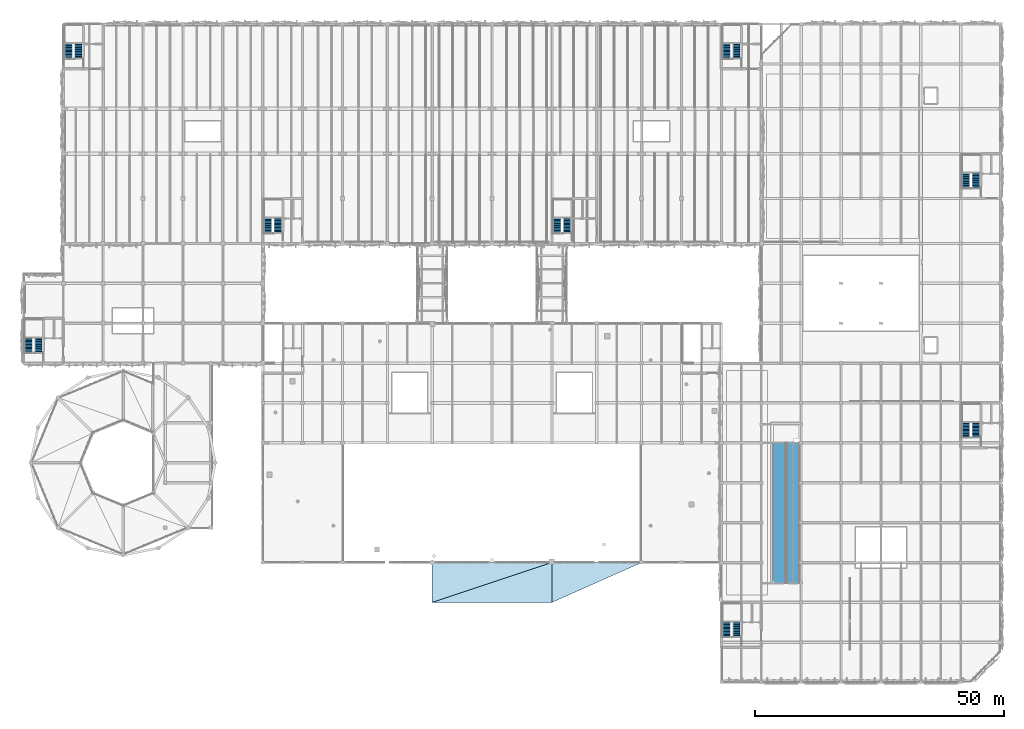
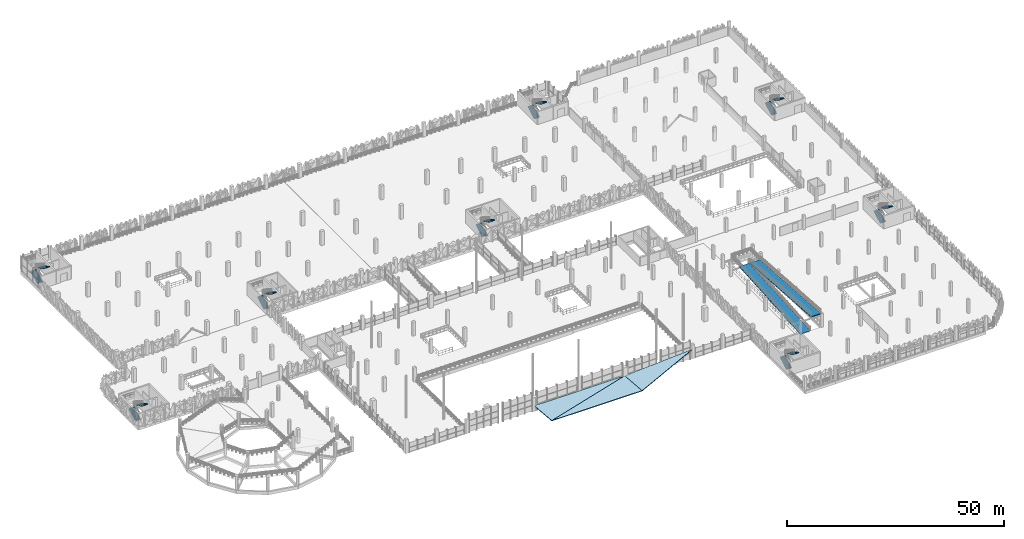
# One storey, part 82 of 123: 16 stair flights, 3 roofs, 2 ramp flights, 9 elements without a shape of their own.
"""IFC4 building model written with IfcOpenShell, lengths in metres."""

import ifcopenshell
import ifcopenshell.guid

model = None  # the IFC model being written
_history = None  # IfcOwnerHistory: only IFC2X3 demands one
_inside = {}  # id of a spatial element -> (the spatial element, [elements in it])
_under = {}  # id of a project, library or spatial element -> (it, [spatial elements below it])
_declared = {}  # id of a project -> (the project, [libraries it declares])
_typed = {}  # id of a type object -> (the type object, [elements of that type])
_made_of = {}  # id of a material, layer set ... -> (it, [elements and type objects made of it])


def new_model(schema):
    """Start an empty IFC model of exactly this schema.

    Asked for "IFC4X3", IfcOpenShell would pick the latest addendum, in which some entities
    have other attributes; the version numbers below select the first issue.
    IFC2X3 requires an IfcOwnerHistory on every rooted entity: one is made here for all.
    """
    global model, _history
    if schema == "IFC4X3":
        model = ifcopenshell.file(schema_version=(4, 3, 0, 0))
    else:
        model = ifcopenshell.file(schema=schema)
    _inside.clear()
    _under.clear()
    _declared.clear()
    _typed.clear()
    _made_of.clear()
    _history = None
    if model.schema == "IFC2X3":
        org = make("IfcOrganization", Name="unknown")
        user = make(
            "IfcPersonAndOrganization",
            ThePerson=make("IfcPerson", FamilyName="unknown"),
            TheOrganization=org,
        )
        app = make(
            "IfcApplication",
            ApplicationDeveloper=org,
            Version="unknown",
            ApplicationFullName="unknown",
            ApplicationIdentifier="unknown",
        )
        _history = make(
            "IfcOwnerHistory",
            OwningUser=user,
            OwningApplication=app,
            ChangeAction="ADDED",
            CreationDate=0,
        )
    return model


def make(cls, **values):
    """One entity of the class cls with the attributes given. An attribute that is None is left unset."""
    return model.create_entity(
        cls, **{name: value for name, value in values.items() if value is not None}
    )


def rooted(cls, **values):
    """An entity with a GlobalId (a new one), such as an element, a storey or a relation."""
    return make(cls, GlobalId=ifcopenshell.guid.new(), OwnerHistory=_history, **values)


def si_unit(unit_type, name, prefix=None):
    """IfcSIUnit, for example si_unit("LENGTHUNIT", "METRE", prefix="MILLI")."""
    return make("IfcSIUnit", UnitType=unit_type, Prefix=prefix, Name=name)


def derived_unit(unit_type, elements):
    """IfcDerivedUnit: a product of units, each with its exponent."""
    return make(
        "IfcDerivedUnit",
        Elements=[
            make("IfcDerivedUnitElement", Unit=unit, Exponent=power)
            for unit, power in elements
        ],
        UnitType=unit_type,
    )


def assignment(units):
    """IfcUnitAssignment: the units of a project."""
    return None if units is None else make("IfcUnitAssignment", Units=units)


def point(xyz):
    """IfcCartesianPoint."""
    return None if xyz is None else make("IfcCartesianPoint", Coordinates=xyz)


def direction(xyz):
    """IfcDirection."""
    return None if xyz is None else make("IfcDirection", DirectionRatios=xyz)


def frame(location, z_axis=None, x_axis=None):
    """IfcAxis2Placement3D, a coordinate frame: its origin and axes. An axis left out is left unset."""
    return make(
        "IfcAxis2Placement3D",
        Location=point(location),
        Axis=direction(z_axis),
        RefDirection=direction(x_axis),
    )


def origin():
    """The frame at (0, 0, 0) with its axes left unset."""
    return frame((0.0, 0.0, 0.0))


def place(relative_to, where):
    """IfcLocalPlacement: puts the frame where relative to a parent placement (None: the world)."""
    return make(
        "IfcLocalPlacement", PlacementRelTo=relative_to, RelativePlacement=where
    )


def context(
    kind, dimensions, precision=None, world=None, true_north=None, identifier=None
):
    """IfcGeometricRepresentationContext, for example the 3D "Model" context."""
    return make(
        "IfcGeometricRepresentationContext",
        ContextIdentifier=identifier,
        ContextType=kind,
        CoordinateSpaceDimension=dimensions,
        Precision=precision,
        WorldCoordinateSystem=world,
        TrueNorth=true_north,
    )


def subcontext(parent, identifier, kind, view, scale=None):
    """IfcGeometricRepresentationSubContext, for example "Body" below "Model"."""
    return make(
        "IfcGeometricRepresentationSubContext",
        ContextIdentifier=identifier,
        ContextType=kind,
        ParentContext=parent,
        TargetScale=scale,
        TargetView=view,
    )


def project(units=None, contexts=None):
    """IfcProject with its units and contexts."""
    return rooted(
        "IfcProject",
        Name="project",
        RepresentationContexts=contexts,
        UnitsInContext=assignment(units),
    )


def spatial(cls, under=None, at=None, **own):
    """A site, building, storey or space (cls), placed at a placement, below another one or the project."""
    s = rooted(cls, ObjectPlacement=at, **own)
    if under is not None:
        _under.setdefault(under.id(), (under, []))[1].append(s)
    return s


def polyline(points):
    """IfcPolyline through the points."""
    return make("IfcPolyline", Points=[point(p) for p in points])


def point_list(points):
    """IfcCartesianPointList2D or 3D."""
    cls = (
        "IfcCartesianPointList2D" if len(points[0]) == 2 else "IfcCartesianPointList3D"
    )
    return make(cls, CoordList=points)


def outline(outer, holes=None, kind="AREA"):
    """IfcArbitraryClosedProfileDef: a profile drawn as a closed curve; with holes, ...WithVoids."""
    if holes is None:
        return make("IfcArbitraryClosedProfileDef", ProfileType=kind, OuterCurve=outer)
    return make(
        "IfcArbitraryProfileDefWithVoids",
        ProfileType=kind,
        OuterCurve=outer,
        InnerCurves=holes,
    )


def extrude(swept, where, along, depth):
    """IfcExtrudedAreaSolid: the profile swept, set in the frame where, extruded along a direction by depth."""
    return make(
        "IfcExtrudedAreaSolid",
        SweptArea=swept,
        Position=where,
        ExtrudedDirection=direction(along),
        Depth=depth,
    )


def polygons(points, faces, closed=None, point_numbers=None):
    """IfcPolygonalFaceSet: a face is its outer loop, then its inner loops; points numbered from 1."""
    made = []
    for loops in faces:
        if len(loops) == 1:
            made.append(make("IfcIndexedPolygonalFace", CoordIndex=loops[0]))
        else:
            made.append(
                make(
                    "IfcIndexedPolygonalFaceWithVoids",
                    CoordIndex=loops[0],
                    InnerCoordIndices=loops[1:],
                )
            )
    return make(
        "IfcPolygonalFaceSet",
        Coordinates=point_list(points),
        Closed=closed,
        Faces=made,
        PnIndex=point_numbers,
    )


def shape(context_of_items, identifier, shape_type, items):
    """IfcShapeRepresentation: the items that make up one representation, for example the "Body"."""
    return make(
        "IfcShapeRepresentation",
        ContextOfItems=context_of_items,
        RepresentationIdentifier=identifier,
        RepresentationType=shape_type,
        Items=items,
    )


def material(Name=None, Category=None):
    """IfcMaterial."""
    return make("IfcMaterial", Name=Name, Category=Category)


def layer(
    of_material, thickness, ventilated=None, Name=None, Category=None, Priority=None
):
    """IfcMaterialLayer: one layer of a wall or slab, of a material (None: an air gap)."""
    return make(
        "IfcMaterialLayer",
        Material=of_material,
        LayerThickness=thickness,
        IsVentilated=ventilated,
        Name=Name,
        Category=Category,
        Priority=Priority,
    )


def layer_set(layers, Name=None):
    """IfcMaterialLayerSet."""
    return make("IfcMaterialLayerSet", MaterialLayers=layers, LayerSetName=Name)


def made_of(thing, what):
    """Note that an element or type object is made of a material, layer set ...; save() writes the relation."""
    if what is not None:
        _made_of.setdefault(what.id(), (what, []))[1].append(thing)
    return thing


def type_object(cls, material=None, **own):
    """A type object (cls), such as IfcWallType, which elements share."""
    return made_of(rooted(cls, **own), material)


def element(
    cls,
    number,
    at=None,
    inside=None,
    cuts=None,
    type_object=None,
    material=None,
    context=None,
    identifier="Body",
    shape_type=None,
    held_by="IfcProductDefinitionShape",
    body=None,
    shapes=None,
    **own,
):
    """One element of the class cls, such as IfcWall. Its Tag is "e" and its number.

    at: its placement. inside: the storey or other place that contains it. cuts: it is an
    opening in that element (IfcRelVoidsElement). A single representation is given by context,
    identifier, shape_type and body (its items); several are given by shapes. held_by: the class
    of the entity that holds the representations. save() writes the other relations.
    """
    e = rooted(cls, Tag="e%d" % number, ObjectPlacement=at, **own)
    if body is not None:
        shapes = [shape(context, identifier, shape_type, body)]
    if shapes is not None:
        e.Representation = make(held_by, Representations=shapes)
    if inside is not None:
        _inside.setdefault(inside.id(), (inside, []))[1].append(e)
    if cuts is not None:
        rooted(
            "IfcRelVoidsElement", RelatingBuildingElement=cuts, RelatedOpeningElement=e
        )
    if type_object is not None:
        _typed.setdefault(type_object.id(), (type_object, []))[1].append(e)
    return made_of(e, material)


def aggregate(whole, parts):
    """IfcRelAggregates: a whole, such as a stair, and the parts it consists of."""
    return rooted("IfcRelAggregates", RelatingObject=whole, RelatedObjects=parts)


def save(model, path):
    """Write the relations noted so far, then the file.

    IfcRelAggregates (storeys below a building ...), IfcRelContainedInSpatialStructure (elements
    in a storey), IfcRelDefinesByType, IfcRelAssociatesMaterial and IfcRelDeclares: one each for
    every whole, place, type object, material and project.
    """
    for whole, parts in _under.values():
        aggregate(whole, parts)
    for where, things in _inside.values():
        rooted(
            "IfcRelContainedInSpatialStructure",
            RelatedElements=things,
            RelatingStructure=where,
        )
    for kind, things in _typed.values():
        rooted("IfcRelDefinesByType", RelatedObjects=things, RelatingType=kind)
    for what, things in _made_of.values():
        rooted("IfcRelAssociatesMaterial", RelatedObjects=things, RelatingMaterial=what)
    for by, libraries in _declared.values():
        rooted("IfcRelDeclares", RelatingContext=by, RelatedDefinitions=libraries)
    model.write(path)


model = new_model("IFC4")

# Units and contexts
model_context = context("Model", 3, precision=1e-05, world=origin(), true_north=direction((0.0, 1.0)))
body_context = subcontext(model_context, "Body", "Model", "MODEL_VIEW")
ifc_project = project(units=[si_unit("LENGTHUNIT", "METRE"), si_unit("AREAUNIT", "SQUARE_METRE"), si_unit("VOLUMEUNIT", "CUBIC_METRE"), si_unit("PLANEANGLEUNIT", "RADIAN"), si_unit("MASSUNIT", "GRAM", prefix="KILO"), si_unit("THERMODYNAMICTEMPERATUREUNIT", "KELVIN"), derived_unit("THERMALTRANSMITTANCEUNIT", [(si_unit("POWERUNIT", "WATT"), 1), (si_unit("AREAUNIT", "SQUARE_METRE"), -1), (si_unit("THERMODYNAMICTEMPERATUREUNIT", "KELVIN"), -1)])], contexts=[model_context])

# Site, building, storey
site_placement = place(None, origin())
site = spatial("IfcSite", under=ifc_project, at=site_placement, CompositionType="ELEMENT")
building_placement = place(site_placement, origin())
building = spatial("IfcBuilding", under=site, at=building_placement, Name="Haiyu Intermodal Mobility Hub", CompositionType="ELEMENT")
storey_placement = place(building_placement, frame((0.0, 0.0, 5.60009765625)))
storey = spatial("IfcBuildingStorey", under=building, at=storey_placement, Name="L01", CompositionType="ELEMENT", Elevation=5.60009765625)

# Stair, stair flights
ifc_material_1 = material(Name="Concrete C40", Category="concrete")
stair_type_1 = type_object("IfcStairType", Name="STR-ST02", PredefinedType="HALF_TURN_STAIR", material=ifc_material_1)
stair_1_placement = place(storey_placement, origin())
stair_1 = element("IfcStair", 1, at=stair_1_placement, inside=storey, type_object=stair_type_1, Name="Exit Stair ST01 L01", PredefinedType="HALF_TURN_STAIR")
stair_flight_type_1 = type_object("IfcStairFlightType", Name="SFL-ST02", PredefinedType="STRAIGHT", material=ifc_material_1)
stair_flight_1_placement = place(storey_placement, frame((63.090087890625, 106.050048828125, 0.0), z_axis=(0.0, 0.0, 1.0), x_axis=(0.0, 1.0, 0.0)))
stair_flight_1 = element("IfcStairFlight", 2, at=stair_flight_1_placement, type_object=stair_flight_type_1, Name="Stair Flight STR-C5-L01-F1", NumberOfRisers=12, NumberOfTreads=11, PredefinedType="STRAIGHT", RiserHeight=0.1625, TreadLength=0.28, context=body_context, shape_type="SweptSolid", body=[
    extrude(outline(polyline([(0.0, 0.0), (0.0, 0.16259765625), (0.280029296875, 0.16259765625), (0.280029296875, 0.324951171875), (0.56005859375, 0.324951171875), (0.56005859375, 0.487548828125), (0.840087890625, 0.487548828125), (0.840087890625, 0.64990234375), (1.1201171875, 0.64990234375), (1.1201171875, 0.8125), (1.39990234375, 0.8125), (1.39990234375, 0.97509765625), (1.679931640625, 0.97509765625), (1.679931640625, 1.137451171875), (1.9599609375, 1.137451171875), (1.9599609375, 1.300048828125), (2.239990234375, 1.300048828125), (2.239990234375, 1.46240234375), (2.52001953125, 1.46240234375), (2.52001953125, 1.625), (2.800048828125, 1.625), (2.800048828125, 1.78759765625), (3.080078125, 1.78759765625), (3.080078125, 1.949951171875), (3.080078125, 1.579345703125), (0.3583984375, 0.0), (0.0, 0.0)])), frame((0.0, 0.72998046875, 0.0), z_axis=(0.0, -1.0, 0.0), x_axis=(1.0, 0.0, 0.0)), (0.0, 0.0, 1.0), 1.4599609375),
])
stair_flight_2_placement = place(storey_placement, frame((65.0, 109.159912109375, 1.949951171875), z_axis=(0.0, 0.0, 1.0), x_axis=(0.0, -1.0, 0.0)))
stair_flight_2 = element("IfcStairFlight", 3, at=stair_flight_2_placement, type_object=stair_flight_type_1, Name="Stair Flight STR-C5-L01-F2", NumberOfRisers=12, NumberOfTreads=11, PredefinedType="STRAIGHT", RiserHeight=0.1625, TreadLength=0.28091, context=body_context, shape_type="SweptSolid", body=[
    extrude(outline(polyline([(0.0, 0.0), (0.0, 0.16259765625), (0.281005859375, 0.16259765625), (0.281005859375, 0.324951171875), (0.561767578125, 0.324951171875), (0.561767578125, 0.487548828125), (0.8427734375, 0.487548828125), (0.8427734375, 0.64990234375), (1.12353515625, 0.64990234375), (1.12353515625, 0.8125), (1.404541015625, 0.8125), (1.404541015625, 0.97509765625), (1.685546875, 0.97509765625), (1.685546875, 1.137451171875), (1.96630859375, 1.137451171875), (1.96630859375, 1.300048828125), (2.247314453125, 1.300048828125), (2.247314453125, 1.46240234375), (2.528076171875, 1.46240234375), (2.528076171875, 1.625), (2.80908203125, 1.625), (2.80908203125, 1.78759765625), (3.090087890625, 1.78759765625), (3.090087890625, 1.949951171875), (3.090087890625, 1.57958984375), (0.359375, 0.0), (0.0, 0.0)])), frame((0.0, 0.72998046875, 0.0), z_axis=(0.0, -1.0, 0.0), x_axis=(1.0, 0.0, 0.0)), (0.0, 0.0, 1.0), 1.4599609375),
])
aggregate(stair_1, [stair_flight_1, stair_flight_2])

stair_2_placement = place(storey_placement, origin())
stair_2 = element("IfcStair", 4, at=stair_2_placement, inside=storey, type_object=stair_type_1, Name="Exit Stair ST01 L01", PredefinedType="HALF_TURN_STAIR")
stair_flight_3_placement = place(storey_placement, frame((121.090087890625, 106.050048828125, 0.0), z_axis=(0.0, 0.0, 1.0), x_axis=(0.0, 1.0, 0.0)))
stair_flight_3 = element("IfcStairFlight", 5, at=stair_flight_3_placement, type_object=stair_flight_type_1, Name="Stair Flight STR-C6-L01-F1", NumberOfRisers=12, NumberOfTreads=11, PredefinedType="STRAIGHT", RiserHeight=0.1625, TreadLength=0.28, context=body_context, shape_type="SweptSolid", body=[
    extrude(outline(polyline([(0.0, 0.0), (0.0, 0.16259765625), (0.280029296875, 0.16259765625), (0.280029296875, 0.324951171875), (0.56005859375, 0.324951171875), (0.56005859375, 0.487548828125), (0.840087890625, 0.487548828125), (0.840087890625, 0.64990234375), (1.1201171875, 0.64990234375), (1.1201171875, 0.8125), (1.39990234375, 0.8125), (1.39990234375, 0.97509765625), (1.679931640625, 0.97509765625), (1.679931640625, 1.137451171875), (1.9599609375, 1.137451171875), (1.9599609375, 1.300048828125), (2.239990234375, 1.300048828125), (2.239990234375, 1.46240234375), (2.52001953125, 1.46240234375), (2.52001953125, 1.625), (2.800048828125, 1.625), (2.800048828125, 1.78759765625), (3.080078125, 1.78759765625), (3.080078125, 1.949951171875), (3.080078125, 1.579345703125), (0.3583984375, 0.0), (0.0, 0.0)])), frame((0.0, 0.72998046875, 0.0), z_axis=(0.0, -1.0, 0.0), x_axis=(1.0, 0.0, 0.0)), (0.0, 0.0, 1.0), 1.4599609375),
])
stair_flight_4_placement = place(storey_placement, frame((123.0, 109.159912109375, 1.949951171875), z_axis=(0.0, 0.0, 1.0), x_axis=(0.0, -1.0, 0.0)))
stair_flight_4 = element("IfcStairFlight", 6, at=stair_flight_4_placement, type_object=stair_flight_type_1, Name="Stair Flight STR-C6-L01-F2", NumberOfRisers=12, NumberOfTreads=11, PredefinedType="STRAIGHT", RiserHeight=0.1625, TreadLength=0.28091, context=body_context, shape_type="SweptSolid", body=[
    extrude(outline(polyline([(0.0, 0.0), (0.0, 0.16259765625), (0.281005859375, 0.16259765625), (0.281005859375, 0.324951171875), (0.561767578125, 0.324951171875), (0.561767578125, 0.487548828125), (0.8427734375, 0.487548828125), (0.8427734375, 0.64990234375), (1.12353515625, 0.64990234375), (1.12353515625, 0.8125), (1.404541015625, 0.8125), (1.404541015625, 0.97509765625), (1.685546875, 0.97509765625), (1.685546875, 1.137451171875), (1.96630859375, 1.137451171875), (1.96630859375, 1.300048828125), (2.247314453125, 1.300048828125), (2.247314453125, 1.46240234375), (2.528076171875, 1.46240234375), (2.528076171875, 1.625), (2.80908203125, 1.625), (2.80908203125, 1.78759765625), (3.090087890625, 1.78759765625), (3.090087890625, 1.949951171875), (3.090087890625, 1.57958984375), (0.359375, 0.0), (0.0, 0.0)])), frame((0.0, 0.72998046875, 0.0), z_axis=(0.0, -1.0, 0.0), x_axis=(1.0, 0.0, 0.0)), (0.0, 0.0, 1.0), 1.4599609375),
])
aggregate(stair_2, [stair_flight_3, stair_flight_4])

stair_3_placement = place(storey_placement, origin())
stair_3 = element("IfcStair", 7, at=stair_3_placement, inside=storey, type_object=stair_type_1, Name="Exit Stair ST03 L01", PredefinedType="HALF_TURN_STAIR")
stair_flight_5_placement = place(storey_placement, frame((203.090087890625, 115.050048828125, 0.0), z_axis=(0.0, 0.0, 1.0), x_axis=(0.0, 1.0, 0.0)))
stair_flight_5 = element("IfcStairFlight", 8, at=stair_flight_5_placement, type_object=stair_flight_type_1, Name="Stair Flight STR-C10-L01-F1", NumberOfRisers=12, NumberOfTreads=11, PredefinedType="STRAIGHT", RiserHeight=0.1625, TreadLength=0.28, context=body_context, shape_type="SweptSolid", body=[
    extrude(outline(polyline([(0.0, 0.0), (0.0, 0.16259765625), (0.280029296875, 0.16259765625), (0.280029296875, 0.324951171875), (0.56005859375, 0.324951171875), (0.56005859375, 0.487548828125), (0.840087890625, 0.487548828125), (0.840087890625, 0.64990234375), (1.1201171875, 0.64990234375), (1.1201171875, 0.8125), (1.39990234375, 0.8125), (1.39990234375, 0.97509765625), (1.679931640625, 0.97509765625), (1.679931640625, 1.137451171875), (1.9599609375, 1.137451171875), (1.9599609375, 1.300048828125), (2.239990234375, 1.300048828125), (2.239990234375, 1.46240234375), (2.52001953125, 1.46240234375), (2.52001953125, 1.625), (2.800048828125, 1.625), (2.800048828125, 1.78759765625), (3.080078125, 1.78759765625), (3.080078125, 1.949951171875), (3.080078125, 1.579345703125), (0.3583984375, 0.0), (0.0, 0.0)])), frame((0.0, 0.72998046875, 0.0), z_axis=(0.0, -1.0, 0.0), x_axis=(1.0, 0.0, 0.0)), (0.0, 0.0, 1.0), 1.4599609375),
])
stair_flight_6_placement = place(storey_placement, frame((205.0, 118.159912109375, 1.949951171875), z_axis=(0.0, 0.0, 1.0), x_axis=(0.0, -1.0, 0.0)))
stair_flight_6 = element("IfcStairFlight", 9, at=stair_flight_6_placement, type_object=stair_flight_type_1, Name="Stair Flight STR-C10-L01-F2", NumberOfRisers=12, NumberOfTreads=11, PredefinedType="STRAIGHT", RiserHeight=0.1625, TreadLength=0.28091, context=body_context, shape_type="SweptSolid", body=[
    extrude(outline(polyline([(0.0, 0.0), (0.0, 0.16259765625), (0.281005859375, 0.16259765625), (0.281005859375, 0.324951171875), (0.561767578125, 0.324951171875), (0.561767578125, 0.487548828125), (0.8427734375, 0.487548828125), (0.8427734375, 0.64990234375), (1.12353515625, 0.64990234375), (1.12353515625, 0.8125), (1.404541015625, 0.8125), (1.404541015625, 0.97509765625), (1.685546875, 0.97509765625), (1.685546875, 1.137451171875), (1.96630859375, 1.137451171875), (1.96630859375, 1.300048828125), (2.247314453125, 1.300048828125), (2.247314453125, 1.46240234375), (2.528076171875, 1.46240234375), (2.528076171875, 1.625), (2.80908203125, 1.625), (2.80908203125, 1.78759765625), (3.090087890625, 1.78759765625), (3.090087890625, 1.949951171875), (3.090087890625, 1.57958984375), (0.359375, 0.0), (0.0, 0.0)])), frame((0.0, 0.72998046875, 0.0), z_axis=(0.0, -1.0, 0.0), x_axis=(1.0, 0.0, 0.0)), (0.0, 0.0, 1.0), 1.4599609375),
])
aggregate(stair_3, [stair_flight_5, stair_flight_6])

stair_type_2 = type_object("IfcStairType", Name="STR-ST03", PredefinedType="HALF_TURN_STAIR", material=ifc_material_1)
stair_4_placement = place(storey_placement, origin())
stair_4 = element("IfcStair", 10, at=stair_4_placement, inside=storey, type_object=stair_type_2, Name="Exit Stair ST02 L01", PredefinedType="HALF_TURN_STAIR")
stair_flight_type_2 = type_object("IfcStairFlightType", Name="SFL-ST03", PredefinedType="STRAIGHT", material=ifc_material_1)
stair_flight_7_placement = place(storey_placement, frame((23.090087890625, 141.050048828125, 0.0), z_axis=(0.0, 0.0, 1.0), x_axis=(0.0, 1.0, 0.0)))
stair_flight_7 = element("IfcStairFlight", 11, at=stair_flight_7_placement, type_object=stair_flight_type_2, Name="Stair Flight STR-C3-L01-F1", NumberOfRisers=12, NumberOfTreads=11, PredefinedType="STRAIGHT", RiserHeight=0.1625, TreadLength=0.28, context=body_context, shape_type="SweptSolid", body=[
    extrude(outline(polyline([(0.0, 0.0), (0.0, 0.16259765625), (0.280029296875, 0.16259765625), (0.280029296875, 0.324951171875), (0.56005859375, 0.324951171875), (0.56005859375, 0.487548828125), (0.840087890625, 0.487548828125), (0.840087890625, 0.64990234375), (1.1201171875, 0.64990234375), (1.1201171875, 0.8125), (1.39990234375, 0.8125), (1.39990234375, 0.97509765625), (1.679931640625, 0.97509765625), (1.679931640625, 1.137451171875), (1.9599609375, 1.137451171875), (1.9599609375, 1.300048828125), (2.239990234375, 1.300048828125), (2.239990234375, 1.46240234375), (2.52001953125, 1.46240234375), (2.52001953125, 1.625), (2.800048828125, 1.625), (2.800048828125, 1.78759765625), (3.080078125, 1.78759765625), (3.080078125, 1.949951171875), (3.080078125, 1.579345703125), (0.3583984375, 0.0), (0.0, 0.0)])), frame((0.0, 0.72998046875, 0.0), z_axis=(0.0, -1.0, 0.0), x_axis=(1.0, 0.0, 0.0)), (0.0, 0.0, 1.0), 1.4599609375),
])
stair_flight_8_placement = place(storey_placement, frame((25.0, 144.159912109375, 1.949951171875), z_axis=(0.0, 0.0, 1.0), x_axis=(0.0, -1.0, 0.0)))
stair_flight_8 = element("IfcStairFlight", 12, at=stair_flight_8_placement, type_object=stair_flight_type_2, Name="Stair Flight STR-C3-L01-F2", NumberOfRisers=12, NumberOfTreads=11, PredefinedType="STRAIGHT", RiserHeight=0.1625, TreadLength=0.28091, context=body_context, shape_type="SweptSolid", body=[
    extrude(outline(polyline([(0.0, 0.0), (0.0, 0.16259765625), (0.281005859375, 0.16259765625), (0.281005859375, 0.324951171875), (0.561767578125, 0.324951171875), (0.561767578125, 0.487548828125), (0.8427734375, 0.487548828125), (0.8427734375, 0.64990234375), (1.12353515625, 0.64990234375), (1.12353515625, 0.8125), (1.404541015625, 0.8125), (1.404541015625, 0.97509765625), (1.685546875, 0.97509765625), (1.685546875, 1.137451171875), (1.96630859375, 1.137451171875), (1.96630859375, 1.300048828125), (2.247314453125, 1.300048828125), (2.247314453125, 1.46240234375), (2.528076171875, 1.46240234375), (2.528076171875, 1.625), (2.80908203125, 1.625), (2.80908203125, 1.78759765625), (3.090087890625, 1.78759765625), (3.090087890625, 1.949951171875), (3.090087890625, 1.57958984375), (0.359375, 0.0), (0.0, 0.0)])), frame((0.0, 0.72998046875, 0.0), z_axis=(0.0, -1.0, 0.0), x_axis=(1.0, 0.0, 0.0)), (0.0, 0.0, 1.0), 1.4599609375),
])
aggregate(stair_4, [stair_flight_7, stair_flight_8])

stair_5_placement = place(storey_placement, origin())
stair_5 = element("IfcStair", 13, at=stair_5_placement, inside=storey, type_object=stair_type_2, Name="Exit Stair ST02 L01", PredefinedType="HALF_TURN_STAIR")
stair_flight_9_placement = place(storey_placement, frame((155.090087890625, 141.050048828125, 0.0), z_axis=(0.0, 0.0, 1.0), x_axis=(0.0, 1.0, 0.0)))
stair_flight_9 = element("IfcStairFlight", 14, at=stair_flight_9_placement, type_object=stair_flight_type_2, Name="Stair Flight STR-C4-L01-F1", NumberOfRisers=12, NumberOfTreads=11, PredefinedType="STRAIGHT", RiserHeight=0.1625, TreadLength=0.28, context=body_context, shape_type="SweptSolid", body=[
    extrude(outline(polyline([(0.0, 0.0), (0.0, 0.16259765625), (0.280029296875, 0.16259765625), (0.280029296875, 0.324951171875), (0.56005859375, 0.324951171875), (0.56005859375, 0.487548828125), (0.840087890625, 0.487548828125), (0.840087890625, 0.64990234375), (1.1201171875, 0.64990234375), (1.1201171875, 0.8125), (1.39990234375, 0.8125), (1.39990234375, 0.97509765625), (1.679931640625, 0.97509765625), (1.679931640625, 1.137451171875), (1.9599609375, 1.137451171875), (1.9599609375, 1.300048828125), (2.239990234375, 1.300048828125), (2.239990234375, 1.46240234375), (2.52001953125, 1.46240234375), (2.52001953125, 1.625), (2.800048828125, 1.625), (2.800048828125, 1.78759765625), (3.080078125, 1.78759765625), (3.080078125, 1.949951171875), (3.080078125, 1.579345703125), (0.3583984375, 0.0), (0.0, 0.0)])), frame((0.0, 0.72998046875, 0.0), z_axis=(0.0, -1.0, 0.0), x_axis=(1.0, 0.0, 0.0)), (0.0, 0.0, 1.0), 1.4599609375),
])
stair_flight_10_placement = place(storey_placement, frame((157.0, 144.159912109375, 1.949951171875), z_axis=(0.0, 0.0, 1.0), x_axis=(0.0, -1.0, 0.0)))
stair_flight_10 = element("IfcStairFlight", 15, at=stair_flight_10_placement, type_object=stair_flight_type_2, Name="Stair Flight STR-C4-L01-F2", NumberOfRisers=12, NumberOfTreads=11, PredefinedType="STRAIGHT", RiserHeight=0.1625, TreadLength=0.28091, context=body_context, shape_type="SweptSolid", body=[
    extrude(outline(polyline([(0.0, 0.0), (0.0, 0.16259765625), (0.281005859375, 0.16259765625), (0.281005859375, 0.324951171875), (0.561767578125, 0.324951171875), (0.561767578125, 0.487548828125), (0.8427734375, 0.487548828125), (0.8427734375, 0.64990234375), (1.12353515625, 0.64990234375), (1.12353515625, 0.8125), (1.404541015625, 0.8125), (1.404541015625, 0.97509765625), (1.685546875, 0.97509765625), (1.685546875, 1.137451171875), (1.96630859375, 1.137451171875), (1.96630859375, 1.300048828125), (2.247314453125, 1.300048828125), (2.247314453125, 1.46240234375), (2.528076171875, 1.46240234375), (2.528076171875, 1.625), (2.80908203125, 1.625), (2.80908203125, 1.78759765625), (3.090087890625, 1.78759765625), (3.090087890625, 1.949951171875), (3.090087890625, 1.57958984375), (0.359375, 0.0), (0.0, 0.0)])), frame((0.0, 0.72998046875, 0.0), z_axis=(0.0, -1.0, 0.0), x_axis=(1.0, 0.0, 0.0)), (0.0, 0.0, 1.0), 1.4599609375),
])
aggregate(stair_5, [stair_flight_9, stair_flight_10])

stair_6_placement = place(storey_placement, origin())
stair_6 = element("IfcStair", 16, at=stair_6_placement, inside=storey, type_object=stair_type_2, Name="Exit Stair ST02 L01", PredefinedType="HALF_TURN_STAIR")
stair_flight_11_placement = place(storey_placement, frame((15.090087890625, 82.050048828125, 0.0), z_axis=(0.0, 0.0, 1.0), x_axis=(0.0, 1.0, 0.0)))
stair_flight_11 = element("IfcStairFlight", 17, at=stair_flight_11_placement, type_object=stair_flight_type_2, Name="Stair Flight STR-C7-L01-F1", NumberOfRisers=12, NumberOfTreads=11, PredefinedType="STRAIGHT", RiserHeight=0.1625, TreadLength=0.28, context=body_context, shape_type="SweptSolid", body=[
    extrude(outline(polyline([(0.0, 0.0), (0.0, 0.16259765625), (0.280029296875, 0.16259765625), (0.280029296875, 0.324951171875), (0.56005859375, 0.324951171875), (0.56005859375, 0.487548828125), (0.840087890625, 0.487548828125), (0.840087890625, 0.64990234375), (1.1201171875, 0.64990234375), (1.1201171875, 0.8125), (1.39990234375, 0.8125), (1.39990234375, 0.97509765625), (1.679931640625, 0.97509765625), (1.679931640625, 1.137451171875), (1.9599609375, 1.137451171875), (1.9599609375, 1.300048828125), (2.239990234375, 1.300048828125), (2.239990234375, 1.46240234375), (2.52001953125, 1.46240234375), (2.52001953125, 1.625), (2.800048828125, 1.625), (2.800048828125, 1.78759765625), (3.080078125, 1.78759765625), (3.080078125, 1.949951171875), (3.080078125, 1.579345703125), (0.3583984375, 0.0), (0.0, 0.0)])), frame((0.0, 0.72998046875, 0.0), z_axis=(0.0, -1.0, 0.0), x_axis=(1.0, 0.0, 0.0)), (0.0, 0.0, 1.0), 1.4599609375),
])
stair_flight_12_placement = place(storey_placement, frame((17.0, 85.159912109375, 1.949951171875), z_axis=(0.0, 0.0, 1.0), x_axis=(0.0, -1.0, 0.0)))
stair_flight_12 = element("IfcStairFlight", 18, at=stair_flight_12_placement, type_object=stair_flight_type_2, Name="Stair Flight STR-C7-L01-F2", NumberOfRisers=12, NumberOfTreads=11, PredefinedType="STRAIGHT", RiserHeight=0.1625, TreadLength=0.28091, context=body_context, shape_type="SweptSolid", body=[
    extrude(outline(polyline([(0.0, 0.0), (0.0, 0.16259765625), (0.281005859375, 0.16259765625), (0.281005859375, 0.324951171875), (0.561767578125, 0.324951171875), (0.561767578125, 0.487548828125), (0.8427734375, 0.487548828125), (0.8427734375, 0.64990234375), (1.12353515625, 0.64990234375), (1.12353515625, 0.8125), (1.404541015625, 0.8125), (1.404541015625, 0.97509765625), (1.685546875, 0.97509765625), (1.685546875, 1.137451171875), (1.96630859375, 1.137451171875), (1.96630859375, 1.300048828125), (2.247314453125, 1.300048828125), (2.247314453125, 1.46240234375), (2.528076171875, 1.46240234375), (2.528076171875, 1.625), (2.80908203125, 1.625), (2.80908203125, 1.78759765625), (3.090087890625, 1.78759765625), (3.090087890625, 1.949951171875), (3.090087890625, 1.57958984375), (0.359375, 0.0), (0.0, 0.0)])), frame((0.0, 0.72998046875, 0.0), z_axis=(0.0, -1.0, 0.0), x_axis=(1.0, 0.0, 0.0)), (0.0, 0.0, 1.0), 1.4599609375),
])
aggregate(stair_6, [stair_flight_11, stair_flight_12])

stair_7_placement = place(storey_placement, origin())
stair_7 = element("IfcStair", 19, at=stair_7_placement, inside=storey, type_object=stair_type_2, Name="Exit Stair ST02 L01", PredefinedType="HALF_TURN_STAIR")
stair_flight_13_placement = place(storey_placement, frame((155.090087890625, 25.050048828125, 0.0), z_axis=(0.0, 0.0, 1.0), x_axis=(0.0, 1.0, 0.0)))
stair_flight_13 = element("IfcStairFlight", 20, at=stair_flight_13_placement, type_object=stair_flight_type_2, Name="Stair Flight STR-C8-L01-F1", NumberOfRisers=12, NumberOfTreads=11, PredefinedType="STRAIGHT", RiserHeight=0.1625, TreadLength=0.28, context=body_context, shape_type="SweptSolid", body=[
    extrude(outline(polyline([(0.0, 0.0), (0.0, 0.16259765625), (0.280029296875, 0.16259765625), (0.280029296875, 0.324951171875), (0.56005859375, 0.324951171875), (0.56005859375, 0.487548828125), (0.840087890625, 0.487548828125), (0.840087890625, 0.64990234375), (1.1201171875, 0.64990234375), (1.1201171875, 0.8125), (1.39990234375, 0.8125), (1.39990234375, 0.97509765625), (1.679931640625, 0.97509765625), (1.679931640625, 1.137451171875), (1.9599609375, 1.137451171875), (1.9599609375, 1.300048828125), (2.239990234375, 1.300048828125), (2.239990234375, 1.46240234375), (2.52001953125, 1.46240234375), (2.52001953125, 1.625), (2.800048828125, 1.625), (2.800048828125, 1.78759765625), (3.080078125, 1.78759765625), (3.080078125, 1.949951171875), (3.080078125, 1.579345703125), (0.3583984375, 0.0), (0.0, 0.0)])), frame((0.0, 0.72998046875, 0.0), z_axis=(0.0, -1.0, 0.0), x_axis=(1.0, 0.0, 0.0)), (0.0, 0.0, 1.0), 1.4599609375),
])
stair_flight_14_placement = place(storey_placement, frame((157.0, 28.159912109375, 1.949951171875), z_axis=(0.0, 0.0, 1.0), x_axis=(0.0, -1.0, 0.0)))
stair_flight_14 = element("IfcStairFlight", 21, at=stair_flight_14_placement, type_object=stair_flight_type_2, Name="Stair Flight STR-C8-L01-F2", NumberOfRisers=12, NumberOfTreads=11, PredefinedType="STRAIGHT", RiserHeight=0.1625, TreadLength=0.28091, context=body_context, shape_type="SweptSolid", body=[
    extrude(outline(polyline([(0.0, 0.0), (0.0, 0.16259765625), (0.281005859375, 0.16259765625), (0.281005859375, 0.324951171875), (0.561767578125, 0.324951171875), (0.561767578125, 0.487548828125), (0.8427734375, 0.487548828125), (0.8427734375, 0.64990234375), (1.12353515625, 0.64990234375), (1.12353515625, 0.8125), (1.404541015625, 0.8125), (1.404541015625, 0.97509765625), (1.685546875, 0.97509765625), (1.685546875, 1.137451171875), (1.96630859375, 1.137451171875), (1.96630859375, 1.300048828125), (2.247314453125, 1.300048828125), (2.247314453125, 1.46240234375), (2.528076171875, 1.46240234375), (2.528076171875, 1.625), (2.80908203125, 1.625), (2.80908203125, 1.78759765625), (3.090087890625, 1.78759765625), (3.090087890625, 1.949951171875), (3.090087890625, 1.57958984375), (0.359375, 0.0), (0.0, 0.0)])), frame((0.0, 0.72998046875, 0.0), z_axis=(0.0, -1.0, 0.0), x_axis=(1.0, 0.0, 0.0)), (0.0, 0.0, 1.0), 1.4599609375),
])
aggregate(stair_7, [stair_flight_13, stair_flight_14])

stair_type_3 = type_object("IfcStairType", Name="STR-ST05", PredefinedType="HALF_TURN_STAIR", material=ifc_material_1)
stair_8_placement = place(storey_placement, origin())
stair_8 = element("IfcStair", 22, at=stair_8_placement, inside=storey, type_object=stair_type_3, Name="Exit Stair ST03 L01", PredefinedType="HALF_TURN_STAIR")
stair_flight_type_3 = type_object("IfcStairFlightType", Name="SFL-ST05", PredefinedType="STRAIGHT", material=ifc_material_1)
stair_flight_15_placement = place(storey_placement, frame((203.090087890625, 65.050048828125, 0.0), z_axis=(0.0, 0.0, 1.0), x_axis=(0.0, 1.0, 0.0)))
stair_flight_15 = element("IfcStairFlight", 23, at=stair_flight_15_placement, type_object=stair_flight_type_3, Name="Stair Flight STR-C9-L01-F1", NumberOfRisers=12, NumberOfTreads=11, PredefinedType="STRAIGHT", RiserHeight=0.1625, TreadLength=0.28, context=body_context, shape_type="SweptSolid", body=[
    extrude(outline(polyline([(0.0, 0.0), (0.0, 0.16259765625), (0.280029296875, 0.16259765625), (0.280029296875, 0.324951171875), (0.56005859375, 0.324951171875), (0.56005859375, 0.487548828125), (0.840087890625, 0.487548828125), (0.840087890625, 0.64990234375), (1.1201171875, 0.64990234375), (1.1201171875, 0.8125), (1.39990234375, 0.8125), (1.39990234375, 0.97509765625), (1.679931640625, 0.97509765625), (1.679931640625, 1.137451171875), (1.9599609375, 1.137451171875), (1.9599609375, 1.300048828125), (2.239990234375, 1.300048828125), (2.239990234375, 1.46240234375), (2.52001953125, 1.46240234375), (2.52001953125, 1.625), (2.800048828125, 1.625), (2.800048828125, 1.78759765625), (3.080078125, 1.78759765625), (3.080078125, 1.949951171875), (3.080078125, 1.579345703125), (0.3583984375, 0.0), (0.0, 0.0)])), frame((0.0, 0.72998046875, 0.0), z_axis=(0.0, -1.0, 0.0), x_axis=(1.0, 0.0, 0.0)), (0.0, 0.0, 1.0), 1.4599609375),
])
stair_flight_16_placement = place(storey_placement, frame((205.0, 68.159912109375, 1.949951171875), z_axis=(0.0, 0.0, 1.0), x_axis=(0.0, -1.0, 0.0)))
stair_flight_16 = element("IfcStairFlight", 24, at=stair_flight_16_placement, type_object=stair_flight_type_3, Name="Stair Flight STR-C9-L01-F2", NumberOfRisers=12, NumberOfTreads=11, PredefinedType="STRAIGHT", RiserHeight=0.1625, TreadLength=0.28091, context=body_context, shape_type="SweptSolid", body=[
    extrude(outline(polyline([(0.0, 0.0), (0.0, 0.16259765625), (0.281005859375, 0.16259765625), (0.281005859375, 0.324951171875), (0.561767578125, 0.324951171875), (0.561767578125, 0.487548828125), (0.8427734375, 0.487548828125), (0.8427734375, 0.64990234375), (1.12353515625, 0.64990234375), (1.12353515625, 0.8125), (1.404541015625, 0.8125), (1.404541015625, 0.97509765625), (1.685546875, 0.97509765625), (1.685546875, 1.137451171875), (1.96630859375, 1.137451171875), (1.96630859375, 1.300048828125), (2.247314453125, 1.300048828125), (2.247314453125, 1.46240234375), (2.528076171875, 1.46240234375), (2.528076171875, 1.625), (2.80908203125, 1.625), (2.80908203125, 1.78759765625), (3.090087890625, 1.78759765625), (3.090087890625, 1.949951171875), (3.090087890625, 1.57958984375), (0.359375, 0.0), (0.0, 0.0)])), frame((0.0, 0.72998046875, 0.0), z_axis=(0.0, -1.0, 0.0), x_axis=(1.0, 0.0, 0.0)), (0.0, 0.0, 1.0), 1.4599609375),
])
aggregate(stair_8, [stair_flight_15, stair_flight_16])

# Ramp, ramp flights
ifc_layer_1 = layer(ifc_material_1, 0.260009765625)
ifc_layer_set_1 = layer_set([ifc_layer_1], Name="Concrete C40")
ramp_type = type_object("IfcRampType", Name="RMP-RM02", PredefinedType="STRAIGHT_RUN_RAMP", material=ifc_layer_set_1)
ramp_placement = place(storey_placement, origin())
ramp = element("IfcRamp", 25, at=ramp_placement, inside=storey, type_object=ramp_type, Name="Bicycle Ramp L01", PredefinedType="STRAIGHT_RUN_RAMP")
ifc_layer_2 = layer(ifc_material_1, 0.260009765625)
ifc_layer_set_2 = layer_set([ifc_layer_2], Name="Concrete C40")
ramp_flight_type = type_object("IfcRampFlightType", Name="RFL-RM02", PredefinedType="STRAIGHT", material=ifc_layer_set_2)
ramp_flight_1_placement = place(storey_placement, origin())
ramp_flight_1 = element("IfcRampFlight", 26, at=ramp_flight_1_placement, type_object=ramp_flight_type, Name="RMP-BIKE-L01-F1", PredefinedType="STRAIGHT", context=body_context, shape_type="Tessellation", body=[
    polygons([(164.300048828125, 35.89990234375, -0.22021484375), (166.89990234375, 35.89990234375, -0.22021484375), (166.89990234375, 64.0, 1.72998046875), (164.300048828125, 64.0, 1.72998046875), (164.300048828125, 35.89990234375, 0.0), (166.89990234375, 35.89990234375, 0.0), (166.89990234375, 64.0, 1.949951171875), (164.300048828125, 64.0, 1.949951171875)], [[[4, 3, 2, 1]], [[5, 6, 7, 8]], [[1, 2, 6, 5]], [[2, 3, 7, 6]], [[3, 4, 8, 7]], [[4, 1, 5, 8]]], closed=True),
])
ramp_flight_2_placement = place(storey_placement, origin())
ramp_flight_2 = element("IfcRampFlight", 27, at=ramp_flight_2_placement, type_object=ramp_flight_type, Name="RMP-BIKE-L01-F2", PredefinedType="STRAIGHT", context=body_context, shape_type="Tessellation", body=[
    polygons([(167.10009765625, 64.0, 1.72998046875), (169.699951171875, 64.0, 1.72998046875), (169.699951171875, 35.85009765625, 3.679931640625), (167.10009765625, 35.85009765625, 3.679931640625), (167.10009765625, 64.0, 1.949951171875), (169.699951171875, 64.0, 1.949951171875), (169.699951171875, 35.85009765625, 3.89990234375), (167.10009765625, 35.85009765625, 3.89990234375)], [[[4, 3, 2, 1]], [[5, 6, 7, 8]], [[1, 2, 6, 5]], [[2, 3, 7, 6]], [[3, 4, 8, 7]], [[4, 1, 5, 8]]], closed=True),
])
aggregate(ramp, [ramp_flight_1, ramp_flight_2])

# Roofs
ifc_material_2 = material(Name="Steel Q355C", Category="steel")
ifc_layer_3 = layer(ifc_material_2, 0.179931640625)
ifc_layer_set_3 = layer_set([ifc_layer_3], Name="Steel Q355C")
roof_type = type_object("IfcRoofType", Name="ROF-RF04", PredefinedType="FLAT_ROOF", material=ifc_layer_set_3)
roof_1_placement = place(storey_placement, origin())
element("IfcRoof", 28, at=roof_1_placement, inside=storey, type_object=roof_type, Name="Sculptural Gull-Wing Forecourt Canopy Panel 07", PredefinedType="FLAT_ROOF", context=body_context, shape_type="Tessellation", body=[
    polygons([(96.0, 32.0, 1.804931640625), (120.0, 32.0, 1.804931640625), (120.0, 40.0, 1.1298828125), (96.0, 32.0, 1.98486328125), (120.0, 32.0, 1.98486328125), (120.0, 40.0, 1.309814453125)], [[[3, 2, 1]], [[4, 5, 6]], [[1, 2, 5, 4]], [[2, 3, 6, 5]], [[3, 1, 4, 6]]], closed=True),
])
roof_2_placement = place(storey_placement, origin())
element("IfcRoof", 29, at=roof_2_placement, inside=storey, type_object=roof_type, Name="Sculptural Gull-Wing Forecourt Canopy Panel 08", PredefinedType="FLAT_ROOF", context=body_context, shape_type="Tessellation", body=[
    polygons([(96.0, 32.0, 1.804931640625), (120.0, 40.0, 1.1298828125), (96.0, 40.0, 1.1298828125), (96.0, 32.0, 1.98486328125), (120.0, 40.0, 1.309814453125), (96.0, 40.0, 1.309814453125)], [[[3, 2, 1]], [[4, 5, 6]], [[1, 2, 5, 4]], [[2, 3, 6, 5]], [[3, 1, 4, 6]]], closed=True),
])
roof_3_placement = place(storey_placement, origin())
element("IfcRoof", 30, at=roof_3_placement, inside=storey, type_object=roof_type, Name="Sculptural Gull-Wing Forecourt Canopy Panel 12", PredefinedType="FLAT_ROOF", context=body_context, shape_type="Tessellation", body=[
    polygons([(120.0, 32.0, 1.804931640625), (138.0, 40.0, 2.2998046875), (120.0, 40.0, 1.1298828125), (120.0, 32.0, 1.98486328125), (138.0, 40.0, 2.47998046875), (120.0, 40.0, 1.309814453125)], [[[3, 2, 1]], [[4, 5, 6]], [[1, 2, 5, 4]], [[2, 3, 6, 5]], [[3, 1, 4, 6]]], closed=True),
])

save(model, "model.ifc")
